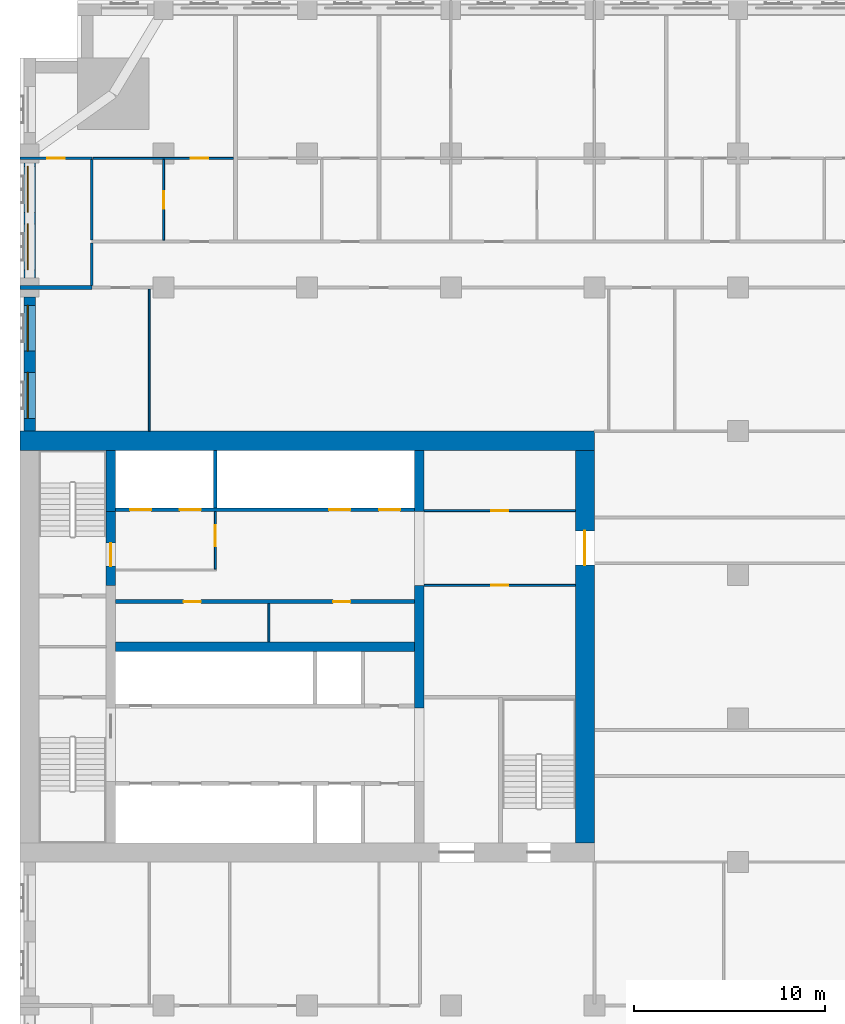
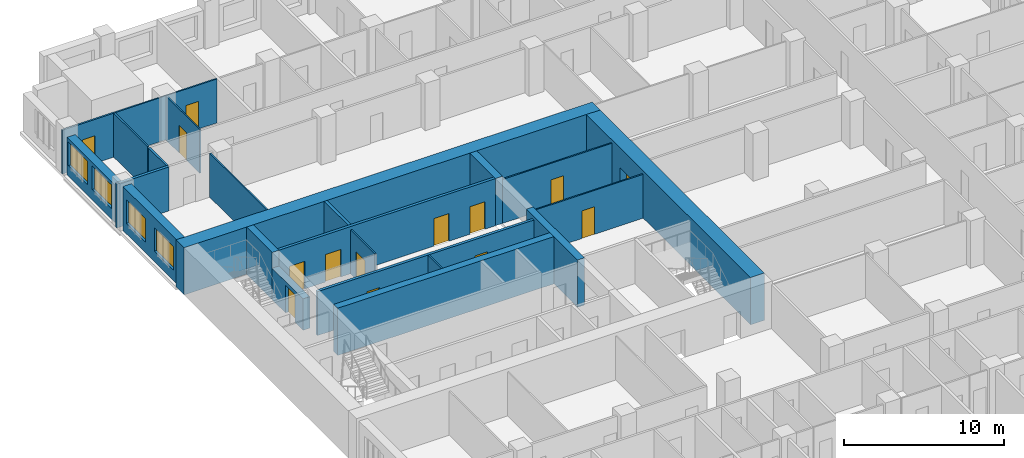
# One storey, part 8 of 14: 23 walls, 14 doors, 4 windows, 18 openings.
"""IFC4 building model written with IfcOpenShell, lengths in metres."""

from ifc_helpers import new_model, si_unit, direction, frame, frame_2d, origin, place, context, subcontext, project, spatial, rectangle, extrude, material, layer, layer_set, type_object, element, fill, save


model = new_model("IFC4")

# Units and contexts
model_context = context("Model", 3, precision=1e-05, world=origin(), true_north=direction((0.0, 1.0)))
body_context = subcontext(model_context, "Body", "Model", "MODEL_VIEW")
ifc_project = project(units=[si_unit("LENGTHUNIT", "METRE"), si_unit("AREAUNIT", "SQUARE_METRE"), si_unit("VOLUMEUNIT", "CUBIC_METRE"), si_unit("PLANEANGLEUNIT", "RADIAN"), si_unit("MASSUNIT", "GRAM", prefix="KILO")], contexts=[model_context])

# Site, building, storey
site_placement = place(None, origin())
site = spatial("IfcSite", under=ifc_project, at=site_placement, CompositionType="ELEMENT")
building_placement = place(site_placement, origin())
building = spatial("IfcBuilding", under=site, at=building_placement, Name="Tamorin Gate", CompositionType="ELEMENT")
storey_placement = place(building_placement, frame((0.0, 0.0, 89.89990234375)))
storey = spatial("IfcBuildingStorey", under=building, at=storey_placement, Name="L21", CompositionType="ELEMENT", Elevation=89.89990234375)

# Wall, openings, windows
ifc_material_1 = material(Name="Precast concrete C40/50", Category="concrete")
ifc_layer_1 = layer(ifc_material_1, 0.60009765625)
ifc_layer_set_1 = layer_set([ifc_layer_1], Name="Precast concrete C40/50")
wall_type_1 = type_object("IfcWallType", Name="Board-marked concrete facade panel 600", PredefinedType="SOLIDWALL", material=ifc_layer_set_1)
wall_1_placement = place(storey_placement, frame((30.5, 96.5, 0.0), z_axis=(0.0, 0.0, 1.0), x_axis=(0.0, -1.0, 0.0)))
wall_1 = element("IfcWall", 1, at=wall_1_placement, inside=storey, type_object=wall_type_1, Name="Facade panel", PredefinedType="SOLIDWALL", context=body_context, shape_type="SweptSolid", body=[
    extrude(rectangle(XDim=6.0, YDim=0.60009765625, at=frame_2d((3.0, 0.0))), origin(), (0.0, 0.0, 1.0), 2.85009765625),
])
opening_1_placement = place(wall_1_placement, frame((3.175048828125, 0.0, 0.800048828125)))
opening_1 = element("IfcOpeningElement", 2, at=opening_1_placement, cuts=wall_1, Name="Opening WN1", PredefinedType="OPENING", context=body_context, shape_type="SweptSolid", body=[
    extrude(rectangle(XDim=2.39990234375, YDim=1.800048828125, at=frame_2d((1.199951171875, 0.89990234375))), frame((0.0, 0.31005859375, 0.0), z_axis=(0.0, -1.0, 0.0), x_axis=(1.0, 0.0, 0.0)), (0.0, 0.0, 1.0), 0.6201171875),
])
opening_2_placement = place(wall_1_placement, frame((0.175048828125, 0.0, 0.800048828125)))
opening_2 = element("IfcOpeningElement", 3, at=opening_2_placement, cuts=wall_1, Name="Opening WN1", PredefinedType="OPENING", context=body_context, shape_type="SweptSolid", body=[
    extrude(rectangle(XDim=2.39990234375, YDim=1.800048828125, at=frame_2d((1.199951171875, 0.89990234375))), frame((0.0, 0.31005859375, 0.0), z_axis=(0.0, -1.0, 0.0), x_axis=(1.0, 0.0, 0.0)), (0.0, 0.0, 1.0), 0.6201171875),
])
ifc_material_2 = material(Name="Clear glass in aluminium frame", Category="aluminium")
window_type = type_object("IfcWindowType", Name="Deep-set window 2400x1800", PartitioningType="SINGLE_PANEL", PredefinedType="WINDOW", material=ifc_material_2)
window_1_placement = place(opening_1_placement, origin())
window_1 = element("IfcWindow", 4, at=window_1_placement, inside=storey, type_object=window_type, Name="Deep-set window", OverallHeight=1.800048828125, OverallWidth=2.39990234375, PartitioningType="SINGLE_PANEL", PredefinedType="WINDOW", context=body_context, shape_type="SweptSolid", body=[
    extrude(rectangle(XDim=2.39990234375, YDim=1.800048828125, at=frame_2d((1.199951171875, 0.89990234375))), frame((0.0, -0.070068359375, 0.0), z_axis=(0.0, -1.0, 0.0), x_axis=(1.0, 0.0, 0.0)), (0.0, 0.0, 1.0), 0.06005859375),
])
fill(opening_1, window_1)
window_2_placement = place(opening_2_placement, origin())
window_2 = element("IfcWindow", 5, at=window_2_placement, inside=storey, type_object=window_type, Name="Deep-set window", OverallHeight=1.800048828125, OverallWidth=2.39990234375, PartitioningType="SINGLE_PANEL", PredefinedType="WINDOW", context=body_context, shape_type="SweptSolid", body=[
    extrude(rectangle(XDim=2.39990234375, YDim=1.800048828125, at=frame_2d((1.199951171875, 0.89990234375))), frame((0.0, -0.070068359375, 0.0), z_axis=(0.0, -1.0, 0.0), x_axis=(1.0, 0.0, 0.0)), (0.0, 0.0, 1.0), 0.06005859375),
])
fill(opening_2, window_2)

wall_2_placement = place(storey_placement, frame((30.5, 89.5, 0.0), z_axis=(0.0, 0.0, 1.0), x_axis=(0.0, -1.0, 0.0)))
wall_2 = element("IfcWall", 6, at=wall_2_placement, inside=storey, type_object=wall_type_1, Name="Facade panel", PredefinedType="SOLIDWALL", context=body_context, shape_type="SweptSolid", body=[
    extrude(rectangle(XDim=7.0, YDim=0.60009765625, at=frame_2d((3.5, 0.0))), origin(), (0.0, 0.0, 1.0), 3.35009765625),
])
opening_3_placement = place(wall_2_placement, frame((3.925048828125, 0.0, 0.800048828125)))
opening_3 = element("IfcOpeningElement", 7, at=opening_3_placement, cuts=wall_2, Name="Opening WN1", PredefinedType="OPENING", context=body_context, shape_type="SweptSolid", body=[
    extrude(rectangle(XDim=2.39990234375, YDim=1.800048828125, at=frame_2d((1.199951171875, 0.89990234375))), frame((0.0, 0.31005859375, 0.0), z_axis=(0.0, -1.0, 0.0), x_axis=(1.0, 0.0, 0.0)), (0.0, 0.0, 1.0), 0.6201171875),
])
opening_4_placement = place(wall_2_placement, frame((0.425048828125, 0.0, 0.800048828125)))
opening_4 = element("IfcOpeningElement", 8, at=opening_4_placement, cuts=wall_2, Name="Opening WN1", PredefinedType="OPENING", context=body_context, shape_type="SweptSolid", body=[
    extrude(rectangle(XDim=2.39990234375, YDim=1.800048828125, at=frame_2d((1.199951171875, 0.89990234375))), frame((0.0, 0.31005859375, 0.0), z_axis=(0.0, -1.0, 0.0), x_axis=(1.0, 0.0, 0.0)), (0.0, 0.0, 1.0), 0.6201171875),
])
window_3_placement = place(opening_3_placement, origin())
window_3 = element("IfcWindow", 9, at=window_3_placement, inside=storey, type_object=window_type, Name="Deep-set window", OverallHeight=1.800048828125, OverallWidth=2.39990234375, PartitioningType="SINGLE_PANEL", PredefinedType="WINDOW", context=body_context, shape_type="SweptSolid", body=[
    extrude(rectangle(XDim=2.39990234375, YDim=1.800048828125, at=frame_2d((1.199951171875, 0.89990234375))), frame((0.0, -0.070068359375, 0.0), z_axis=(0.0, -1.0, 0.0), x_axis=(1.0, 0.0, 0.0)), (0.0, 0.0, 1.0), 0.06005859375),
])
fill(opening_3, window_3)
window_4_placement = place(opening_4_placement, origin())
window_4 = element("IfcWindow", 10, at=window_4_placement, inside=storey, type_object=window_type, Name="Deep-set window", OverallHeight=1.800048828125, OverallWidth=2.39990234375, PartitioningType="SINGLE_PANEL", PredefinedType="WINDOW", context=body_context, shape_type="SweptSolid", body=[
    extrude(rectangle(XDim=2.39990234375, YDim=1.800048828125, at=frame_2d((1.199951171875, 0.89990234375))), frame((0.0, -0.070068359375, 0.0), z_axis=(0.0, -1.0, 0.0), x_axis=(1.0, 0.0, 0.0)), (0.0, 0.0, 1.0), 0.06005859375),
])
fill(opening_4, window_4)

# Walls
ifc_material_3 = material(Name="Gypsum board partition")
ifc_layer_2 = layer(ifc_material_3, 0.14990234375)
ifc_layer_set_2 = layer_set([ifc_layer_2], Name="Corridor wall 150")
wall_type_2 = type_object("IfcWallType", Name="Corridor wall 150", PredefinedType="PARTITIONING", material=ifc_layer_set_2)
wall_3_placement = place(storey_placement, frame((33.75, 90.10009765625, 0.0), z_axis=(0.0, 0.0, 1.0), x_axis=(0.0, 1.0, 0.0)))
element("IfcWall", 11, at=wall_3_placement, inside=storey, type_object=wall_type_2, Name="Corridor wall 150", PredefinedType="PARTITIONING", context=body_context, shape_type="SweptSolid", body=[
    extrude(rectangle(XDim=2.224853515625, YDim=0.14990234375, at=frame_2d((1.1123046875, 0.0))), origin(), (0.0, 0.0, 1.0), 3.35009765625),
])
ifc_layer_3 = layer(ifc_material_3, 0.199951171875)
ifc_layer_set_3 = layer_set([ifc_layer_3], Name="Demising wall 200")
wall_type_3 = type_object("IfcWallType", Name="Demising wall 200", PredefinedType="PARTITIONING", material=ifc_layer_set_3)
wall_4_placement = place(storey_placement, frame((30.0, 90.0, 0.0), z_axis=(0.0, 0.0, 1.0), x_axis=(1.0, 0.0, 0.0)))
element("IfcWall", 12, at=wall_4_placement, inside=storey, type_object=wall_type_3, Name="Demising wall 200", PredefinedType="PARTITIONING", context=body_context, shape_type="SweptSolid", body=[
    extrude(rectangle(XDim=3.75, YDim=0.199951171875, at=frame_2d((1.875, 0.0))), origin(), (0.0, 0.0, 1.0), 3.35009765625),
])

# Wall, openings, doors
ifc_material_4 = material(Name="Concrete C32/40", Category="concrete")
ifc_layer_4 = layer(ifc_material_4, 0.199951171875)
ifc_layer_set_4 = layer_set([ifc_layer_4], Name="Lift lobby face wall 200 EI 120")
wall_type_4 = type_object("IfcWallType", Name="Lift lobby face wall 200 EI 120", PredefinedType="SOLIDWALL", material=ifc_layer_set_4)
wall_5_placement = place(storey_placement, frame((35.0, 78.39990234375, 0.0), z_axis=(0.0, 0.0, 1.0), x_axis=(1.0, 0.0, 0.0)))
wall_5 = element("IfcWall", 13, at=wall_5_placement, inside=storey, type_object=wall_type_4, Name="Lift lobby face wall", PredefinedType="SOLIDWALL", context=body_context, shape_type="SweptSolid", body=[
    extrude(rectangle(XDim=15.60009765625, YDim=0.199951171875, at=frame_2d((7.800048828125, 0.0))), origin(), (0.0, 0.0, 1.0), 3.60009765625),
])
opening_5_placement = place(wall_5_placement, frame((0.75, 0.0, 0.0)))
opening_5 = element("IfcOpeningElement", 14, at=opening_5_placement, cuts=wall_5, Name="Opening LD17", PredefinedType="OPENING", context=body_context, shape_type="SweptSolid", body=[
    extrude(rectangle(XDim=1.10009765625, YDim=2.10009765625, at=frame_2d((0.550048828125, 1.050048828125))), frame((0.0, 0.10986328125, 0.0), z_axis=(0.0, -1.0, 0.0), x_axis=(1.0, 0.0, 0.0)), (0.0, 0.0, 1.0), 0.219970703125),
])
opening_6_placement = place(wall_5_placement, frame((3.35009765625, 0.0, 0.0)))
opening_6 = element("IfcOpeningElement", 15, at=opening_6_placement, cuts=wall_5, Name="Opening LD18", PredefinedType="OPENING", context=body_context, shape_type="SweptSolid", body=[
    extrude(rectangle(XDim=1.10009765625, YDim=2.10009765625, at=frame_2d((0.550048828125, 1.050048828125))), frame((0.0, 0.10986328125, 0.0), z_axis=(0.0, -1.0, 0.0), x_axis=(1.0, 0.0, 0.0)), (0.0, 0.0, 1.0), 0.219970703125),
])
opening_7_placement = place(wall_5_placement, frame((11.14990234375, 0.0, 0.0)))
opening_7 = element("IfcOpeningElement", 16, at=opening_7_placement, cuts=wall_5, Name="Opening LD21", PredefinedType="OPENING", context=body_context, shape_type="SweptSolid", body=[
    extrude(rectangle(XDim=1.10009765625, YDim=2.10009765625, at=frame_2d((0.550048828125, 1.050048828125))), frame((0.0, 0.10986328125, 0.0), z_axis=(0.0, -1.0, 0.0), x_axis=(1.0, 0.0, 0.0)), (0.0, 0.0, 1.0), 0.219970703125),
])
opening_8_placement = place(wall_5_placement, frame((13.75, 0.0, 0.0)))
opening_8 = element("IfcOpeningElement", 17, at=opening_8_placement, cuts=wall_5, Name="Opening LD22", PredefinedType="OPENING", context=body_context, shape_type="SweptSolid", body=[
    extrude(rectangle(XDim=1.10009765625, YDim=2.10009765625, at=frame_2d((0.550048828125, 1.050048828125))), frame((0.0, 0.10986328125, 0.0), z_axis=(0.0, -1.0, 0.0), x_axis=(1.0, 0.0, 0.0)), (0.0, 0.0, 1.0), 0.219970703125),
])
ifc_material_5 = material(Name="Stainless steel sliding door", Category="steel")
door_type_1 = type_object("IfcDoorType", Name="Lift landing door 1100 x 2100 E 90", OperationType="DOUBLE_DOOR_SLIDING", PredefinedType="DOOR", material=ifc_material_5)
door_1_placement = place(opening_5_placement, origin())
door_1 = element("IfcDoor", 18, at=door_1_placement, inside=storey, type_object=door_type_1, Name="FF1 landing door", OperationType="DOUBLE_DOOR_SLIDING", OverallHeight=2.10009765625, OverallWidth=1.10009765625, PredefinedType="DOOR", context=body_context, shape_type="SweptSolid", body=[
    extrude(rectangle(XDim=1.10009765625, YDim=2.10009765625, at=frame_2d((0.550048828125, 1.050048828125))), frame((0.0, 0.02490234375, 0.0), z_axis=(0.0, -1.0, 0.0), x_axis=(1.0, 0.0, 0.0)), (0.0, 0.0, 1.0), 0.050048828125),
])
fill(opening_5, door_1)
door_2_placement = place(opening_6_placement, origin())
door_2 = element("IfcDoor", 19, at=door_2_placement, inside=storey, type_object=door_type_1, Name="FF2 landing door", OperationType="DOUBLE_DOOR_SLIDING", OverallHeight=2.10009765625, OverallWidth=1.10009765625, PredefinedType="DOOR", context=body_context, shape_type="SweptSolid", body=[
    extrude(rectangle(XDim=1.10009765625, YDim=2.10009765625, at=frame_2d((0.550048828125, 1.050048828125))), frame((0.0, 0.02490234375, 0.0), z_axis=(0.0, -1.0, 0.0), x_axis=(1.0, 0.0, 0.0)), (0.0, 0.0, 1.0), 0.050048828125),
])
fill(opening_6, door_2)
door_3_placement = place(opening_7_placement, origin())
door_3 = element("IfcDoor", 20, at=door_3_placement, inside=storey, type_object=door_type_1, Name="SV1 landing door", OperationType="DOUBLE_DOOR_SLIDING", OverallHeight=2.10009765625, OverallWidth=1.10009765625, PredefinedType="DOOR", context=body_context, shape_type="SweptSolid", body=[
    extrude(rectangle(XDim=1.10009765625, YDim=2.10009765625, at=frame_2d((0.550048828125, 1.050048828125))), frame((0.0, 0.02490234375, 0.0), z_axis=(0.0, -1.0, 0.0), x_axis=(1.0, 0.0, 0.0)), (0.0, 0.0, 1.0), 0.050048828125),
])
fill(opening_7, door_3)
door_4_placement = place(opening_8_placement, origin())
door_4 = element("IfcDoor", 21, at=door_4_placement, inside=storey, type_object=door_type_1, Name="SV2 landing door", OperationType="DOUBLE_DOOR_SLIDING", OverallHeight=2.10009765625, OverallWidth=1.10009765625, PredefinedType="DOOR", context=body_context, shape_type="SweptSolid", body=[
    extrude(rectangle(XDim=1.10009765625, YDim=2.10009765625, at=frame_2d((0.550048828125, 1.050048828125))), frame((0.0, 0.02490234375, 0.0), z_axis=(0.0, -1.0, 0.0), x_axis=(1.0, 0.0, 0.0)), (0.0, 0.0, 1.0), 0.050048828125),
])
fill(opening_8, door_4)

# Wall
ifc_layer_5 = layer(ifc_material_4, 0.199951171875)
ifc_layer_set_5 = layer_set([ifc_layer_5], Name="Lift shaft wall 200 EI 120")
wall_type_5 = type_object("IfcWallType", Name="Lift shaft wall 200 EI 120", PredefinedType="SOLIDWALL", material=ifc_layer_set_5)
wall_6_placement = place(storey_placement, frame((40.199951171875, 78.5, 0.0), z_axis=(0.0, 0.0, 1.0), x_axis=(0.0, 1.0, 0.0)))
element("IfcWall", 22, at=wall_6_placement, inside=storey, type_object=wall_type_5, Name="Lift shaft wall", PredefinedType="SOLIDWALL", context=body_context, shape_type="SweptSolid", body=[
    extrude(rectangle(XDim=3.0, YDim=0.199951171875, at=frame_2d((1.5, 0.0))), origin(), (0.0, 0.0, 1.0), 3.60009765625),
])

# Wall, opening, door
ifc_material_6 = material(Name="Fire-rated gypsum board partition")
ifc_layer_6 = layer(ifc_material_6, 0.10009765625)
ifc_layer_set_6 = layer_set([ifc_layer_6], Name="Lobby wall 100 EI 60")
wall_type_6 = type_object("IfcWallType", Name="Lobby wall 100 EI 60", PredefinedType="PARTITIONING", material=ifc_layer_set_6)
wall_7_placement = place(storey_placement, frame((40.199951171875, 75.300048828125, 0.0), z_axis=(0.0, 0.0, 1.0), x_axis=(0.0, 1.0, 0.0)))
wall_7 = element("IfcWall", 23, at=wall_7_placement, inside=storey, type_object=wall_type_6, Name="Firefighting lobby wall", PredefinedType="PARTITIONING", context=body_context, shape_type="SweptSolid", body=[
    extrude(rectangle(XDim=3.0, YDim=0.10009765625, at=frame_2d((1.5, 0.0))), origin(), (0.0, 0.0, 1.0), 3.35009765625),
])
opening_9_placement = place(wall_7_placement, frame((1.199951171875, 0.0, 0.0)))
opening_9 = element("IfcOpeningElement", 24, at=opening_9_placement, cuts=wall_7, Name="Opening DF1", PredefinedType="OPENING", context=body_context, shape_type="SweptSolid", body=[
    extrude(rectangle(XDim=1.10009765625, YDim=2.10009765625, at=frame_2d((0.550048828125, 1.050048828125))), frame((0.0, 0.06005859375, 0.0), z_axis=(0.0, -1.0, 0.0), x_axis=(1.0, 0.0, 0.0)), (0.0, 0.0, 1.0), 0.1201171875),
])
ifc_material_7 = material(Name="Steel fire door", Category="steel")
door_type_2 = type_object("IfcDoorType", Name="Firefighting lobby door 1100 x 2100 EI 90", OperationType="SINGLE_SWING_LEFT", PredefinedType="DOOR", material=ifc_material_7)
door_5_placement = place(opening_9_placement, origin())
door_5 = element("IfcDoor", 25, at=door_5_placement, inside=storey, type_object=door_type_2, Name="Firefighting lobby door", OperationType="SINGLE_SWING_LEFT", OverallHeight=2.10009765625, OverallWidth=1.10009765625, PredefinedType="DOOR", context=body_context, shape_type="SweptSolid", body=[
    extrude(rectangle(XDim=1.10009765625, YDim=2.10009765625, at=frame_2d((0.550048828125, 1.050048828125))), frame((0.0, 0.02490234375, 0.0), z_axis=(0.0, -1.0, 0.0), x_axis=(1.0, 0.0, 0.0)), (0.0, 0.0, 1.0), 0.050048828125),
])
fill(opening_9, door_5)

# Walls
ifc_material_8 = material(Name="Concrete C80/95", Category="concrete")
ifc_layer_7 = layer(ifc_material_8, 0.5)
ifc_layer_set_7 = layer_set([ifc_layer_7], Name="RC core internal wall 500 C80/95")
wall_type_7 = type_object("IfcWallType", Name="RC core internal wall 500 C80/95", PredefinedType="SHEAR", material=ifc_layer_set_7)
wall_8_placement = place(storey_placement, frame((35.0, 71.25, 0.0), z_axis=(0.0, 0.0, 1.0), x_axis=(1.0, 0.0, 0.0)))
element("IfcWall", 26, at=wall_8_placement, inside=storey, type_object=wall_type_7, Name="Core spine wall L21", PredefinedType="SHEAR", context=body_context, shape_type="SweptSolid", body=[
    extrude(rectangle(XDim=15.60009765625, YDim=0.5, at=frame_2d((7.800048828125, 0.0))), origin(), (0.0, 0.0, 1.0), 3.60009765625),
])
wall_9_placement = place(storey_placement, frame((34.75, 78.300048828125, 0.0), z_axis=(0.0, 0.0, 1.0), x_axis=(0.0, 1.0, 0.0)))
element("IfcWall", 27, at=wall_9_placement, inside=storey, type_object=wall_type_7, Name="Core cross wall L21", PredefinedType="SHEAR", context=body_context, shape_type="SweptSolid", body=[
    extrude(rectangle(XDim=3.199951171875, YDim=0.5, at=frame_2d((1.60009765625, 0.0))), origin(), (0.0, 0.0, 1.0), 3.60009765625),
])
wall_10_placement = place(storey_placement, frame((50.85009765625, 68.050048828125, 0.0), z_axis=(0.0, 0.0, 1.0), x_axis=(0.0, 1.0, 0.0)))
element("IfcWall", 28, at=wall_10_placement, inside=storey, type_object=wall_type_7, Name="Core cross wall L21", PredefinedType="SHEAR", context=body_context, shape_type="SweptSolid", body=[
    extrude(rectangle(XDim=6.39990234375, YDim=0.5, at=frame_2d((3.199951171875, 0.0))), origin(), (0.0, 0.0, 1.0), 3.60009765625),
])
wall_11_placement = place(storey_placement, frame((50.85009765625, 78.300048828125, 0.0), z_axis=(0.0, 0.0, 1.0), x_axis=(0.0, 1.0, 0.0)))
element("IfcWall", 29, at=wall_11_placement, inside=storey, type_object=wall_type_7, Name="Core cross wall L21", PredefinedType="SHEAR", context=body_context, shape_type="SweptSolid", body=[
    extrude(rectangle(XDim=3.199951171875, YDim=0.5, at=frame_2d((1.60009765625, 0.0))), origin(), (0.0, 0.0, 1.0), 3.60009765625),
])
ifc_layer_8 = layer(ifc_material_8, 1.0)
ifc_layer_set_8 = layer_set([ifc_layer_8], Name="RC core wall 1000 C80/95")
wall_type_8 = type_object("IfcWallType", Name="RC core wall 1000 C80/95", PredefinedType="SHEAR", material=ifc_layer_set_8)
wall_12_placement = place(storey_placement, frame((30.0, 82.0, 0.0), z_axis=(0.0, 0.0, 1.0), x_axis=(1.0, 0.0, 0.0)))
element("IfcWall", 30, at=wall_12_placement, inside=storey, type_object=wall_type_8, Name="Core wall L21", PredefinedType="SHEAR", context=body_context, shape_type="SweptSolid", body=[
    extrude(rectangle(XDim=30.0, YDim=1.0, at=frame_2d((15.0, 0.0))), origin(), (0.0, 0.0, 1.0), 3.60009765625),
])

# Wall, opening, door
wall_13_placement = place(storey_placement, frame((59.5, 61.0, 0.0), z_axis=(0.0, 0.0, 1.0), x_axis=(0.0, 1.0, 0.0)))
wall_13 = element("IfcWall", 31, at=wall_13_placement, inside=storey, type_object=wall_type_8, Name="Core wall L21", PredefinedType="SHEAR", context=body_context, shape_type="SweptSolid", body=[
    extrude(rectangle(XDim=20.5, YDim=1.0, at=frame_2d((10.25, 0.0))), origin(), (0.0, 0.0, 1.0), 3.60009765625),
])
opening_10_placement = place(wall_13_placement, frame((14.5, 0.0, 0.0)))
opening_10 = element("IfcOpeningElement", 32, at=opening_10_placement, cuts=wall_13, Name="Opening DE1", PredefinedType="OPENING", context=body_context, shape_type="SweptSolid", body=[
    extrude(rectangle(XDim=1.800048828125, YDim=2.10009765625, at=frame_2d((0.89990234375, 1.050048828125))), frame((0.0, 0.510009765625, 0.0), z_axis=(0.0, -1.0, 0.0), x_axis=(1.0, 0.0, 0.0)), (0.0, 0.0, 1.0), 1.02001953125),
])
door_type_3 = type_object("IfcDoorType", Name="Lobby exit double door 1800 x 2100 EI 60", OperationType="DOUBLE_DOOR_SINGLE_SWING", PredefinedType="DOOR", material=ifc_material_7)
door_6_placement = place(opening_10_placement, origin())
door_6 = element("IfcDoor", 33, at=door_6_placement, inside=storey, type_object=door_type_3, Name="Lift lobby B exit door", OperationType="DOUBLE_DOOR_SINGLE_SWING", OverallHeight=2.10009765625, OverallWidth=1.800048828125, PredefinedType="DOOR", context=body_context, shape_type="SweptSolid", body=[
    extrude(rectangle(XDim=1.800048828125, YDim=2.10009765625, at=frame_2d((0.89990234375, 1.050048828125))), frame((0.0, 0.02490234375, 0.0), z_axis=(0.0, -1.0, 0.0), x_axis=(1.0, 0.0, 0.0)), (0.0, 0.0, 1.0), 0.050048828125),
])
fill(opening_10, door_6)

ifc_layer_9 = layer(ifc_material_3, 0.10009765625)
ifc_layer_set_9 = layer_set([ifc_layer_9], Name="Room partition 100")
wall_type_9 = type_object("IfcWallType", Name="Room partition 100", PredefinedType="PARTITIONING", material=ifc_layer_set_9)
wall_14_placement = place(storey_placement, frame((33.8125, 96.75, 0.0), z_axis=(0.0, 0.0, 1.0), x_axis=(1.0, 0.0, 0.0)))
wall_14 = element("IfcWall", 34, at=wall_14_placement, inside=storey, type_object=wall_type_9, Name="Room partition 100", PredefinedType="PARTITIONING", context=body_context, shape_type="SweptSolid", body=[
    extrude(rectangle(XDim=7.33740234375, YDim=0.10009765625, at=frame_2d((3.668701171875, 0.0))), origin(), (0.0, 0.0, 1.0), 3.35009765625),
])
opening_11_placement = place(wall_14_placement, frame((5.112548828125, 0.0, 0.0)))
opening_11 = element("IfcOpeningElement", 35, at=opening_11_placement, cuts=wall_14, Name="Opening DH8026", PredefinedType="OPENING", context=body_context, shape_type="SweptSolid", body=[
    extrude(rectangle(XDim=0.89990234375, YDim=2.10009765625, at=frame_2d((0.449951171875, 1.050048828125))), frame((0.0, 0.06005859375, 0.0), z_axis=(0.0, -1.0, 0.0), x_axis=(1.0, 0.0, 0.0)), (0.0, 0.0, 1.0), 0.1201171875),
])
ifc_material_9 = material(Name="Timber door leaf", Category="wood")
door_type_4 = type_object("IfcDoorType", Name="Door 900 x 2100", OperationType="NOTDEFINED", PredefinedType="DOOR", material=ifc_material_9)
door_7_placement = place(opening_11_placement, origin())
door_7 = element("IfcDoor", 36, at=door_7_placement, inside=storey, type_object=door_type_4, Name="Door DH8026", OperationType="SINGLE_SWING_RIGHT", OverallHeight=2.10009765625, OverallWidth=0.89990234375, PredefinedType="DOOR", context=body_context, shape_type="SweptSolid", body=[
    extrude(rectangle(XDim=0.89990234375, YDim=2.10009765625, at=frame_2d((0.449951171875, 1.050048828125))), frame((0.0, 0.02490234375, 0.0), z_axis=(0.0, -1.0, 0.0), x_axis=(1.0, 0.0, 0.0)), (0.0, 0.0, 1.0), 0.050048828125),
])
fill(opening_11, door_7)

# Wall
wall_15_placement = place(storey_placement, frame((36.75, 82.5, 0.0), z_axis=(0.0, 0.0, 1.0), x_axis=(0.0, 1.0, 0.0)))
element("IfcWall", 37, at=wall_15_placement, inside=storey, type_object=wall_type_9, Name="Room partition 100", PredefinedType="PARTITIONING", context=body_context, shape_type="SweptSolid", body=[
    extrude(rectangle(XDim=7.425048828125, YDim=0.10009765625, at=frame_2d((3.71240234375, 0.0))), origin(), (0.0, 0.0, 1.0), 3.35009765625),
])

# Wall, opening, door
wall_16_placement = place(storey_placement, frame((37.5, 92.47509765625, 0.0), z_axis=(0.0, 0.0, 1.0), x_axis=(0.0, 1.0, 0.0)))
wall_16 = element("IfcWall", 38, at=wall_16_placement, inside=storey, type_object=wall_type_9, Name="Room partition 100", PredefinedType="PARTITIONING", context=body_context, shape_type="SweptSolid", body=[
    extrude(rectangle(XDim=4.224853515625, YDim=0.10009765625, at=frame_2d((2.1123046875, 0.0))), origin(), (0.0, 0.0, 1.0), 3.35009765625),
])
opening_12_placement = place(wall_16_placement, frame((1.64990234375, 0.0, 0.0)))
opening_12 = element("IfcOpeningElement", 39, at=opening_12_placement, cuts=wall_16, Name="Opening DH8024", PredefinedType="OPENING", context=body_context, shape_type="SweptSolid", body=[
    extrude(rectangle(XDim=0.89990234375, YDim=2.10009765625, at=frame_2d((0.449951171875, 1.050048828125))), frame((0.0, 0.06005859375, 0.0), z_axis=(0.0, -1.0, 0.0), x_axis=(1.0, 0.0, 0.0)), (0.0, 0.0, 1.0), 0.1201171875),
])
door_8_placement = place(opening_12_placement, origin())
door_8 = element("IfcDoor", 40, at=door_8_placement, inside=storey, type_object=door_type_4, Name="Door DH8024", OperationType="SINGLE_SWING_RIGHT", OverallHeight=2.10009765625, OverallWidth=0.89990234375, PredefinedType="DOOR", context=body_context, shape_type="SweptSolid", body=[
    extrude(rectangle(XDim=0.89990234375, YDim=2.10009765625, at=frame_2d((0.449951171875, 1.050048828125))), frame((0.0, 0.02490234375, 0.0), z_axis=(0.0, -1.0, 0.0), x_axis=(1.0, 0.0, 0.0)), (0.0, 0.0, 1.0), 0.050048828125),
])
fill(opening_12, door_8)

# Wall, openings, doors
ifc_layer_10 = layer(ifc_material_3, 0.199951171875)
ifc_layer_set_10 = layer_set([ifc_layer_10], Name="Service room face wall 200 EI 60")
wall_type_10 = type_object("IfcWallType", Name="Service room face wall 200 EI 60", PredefinedType="PARTITIONING", material=ifc_layer_set_10)
wall_17_placement = place(storey_placement, frame((35.0, 73.60009765625, 0.0), z_axis=(0.0, 0.0, 1.0), x_axis=(1.0, 0.0, 0.0)))
wall_17 = element("IfcWall", 41, at=wall_17_placement, inside=storey, type_object=wall_type_10, Name="Service room face wall", PredefinedType="PARTITIONING", context=body_context, shape_type="SweptSolid", body=[
    extrude(rectangle(XDim=15.60009765625, YDim=0.199951171875, at=frame_2d((7.800048828125, 0.0))), origin(), (0.0, 0.0, 1.0), 3.35009765625),
])
opening_13_placement = place(wall_17_placement, frame((3.550048828125, 0.0, 0.0)))
opening_13 = element("IfcOpeningElement", 42, at=opening_13_placement, cuts=wall_17, Name="Opening DK1", PredefinedType="OPENING", context=body_context, shape_type="SweptSolid", body=[
    extrude(rectangle(XDim=0.89990234375, YDim=2.10009765625, at=frame_2d((0.449951171875, 1.050048828125))), frame((0.0, 0.10986328125, 0.0), z_axis=(0.0, -1.0, 0.0), x_axis=(1.0, 0.0, 0.0)), (0.0, 0.0, 1.0), 0.219970703125),
])
opening_14_placement = place(wall_17_placement, frame((11.35009765625, 0.0, 0.0)))
opening_14 = element("IfcOpeningElement", 43, at=opening_14_placement, cuts=wall_17, Name="Opening DK1", PredefinedType="OPENING", context=body_context, shape_type="SweptSolid", body=[
    extrude(rectangle(XDim=0.89990234375, YDim=2.10009765625, at=frame_2d((0.449951171875, 1.050048828125))), frame((0.0, 0.10986328125, 0.0), z_axis=(0.0, -1.0, 0.0), x_axis=(1.0, 0.0, 0.0)), (0.0, 0.0, 1.0), 0.219970703125),
])
ifc_material_10 = material(Name="Timber fire door", Category="wood")
door_type_5 = type_object("IfcDoorType", Name="Service room door 900 x 2100 EI 60", OperationType="SINGLE_SWING_LEFT", PredefinedType="DOOR", material=ifc_material_10)
door_9_placement = place(opening_13_placement, origin())
door_9 = element("IfcDoor", 44, at=door_9_placement, inside=storey, type_object=door_type_5, Name="Door Linen store", OperationType="SINGLE_SWING_LEFT", OverallHeight=2.10009765625, OverallWidth=0.89990234375, PredefinedType="DOOR", context=body_context, shape_type="SweptSolid", body=[
    extrude(rectangle(XDim=0.89990234375, YDim=2.10009765625, at=frame_2d((0.449951171875, 1.050048828125))), frame((0.0, 0.02490234375, 0.0), z_axis=(0.0, -1.0, 0.0), x_axis=(1.0, 0.0, 0.0)), (0.0, 0.0, 1.0), 0.050048828125),
])
fill(opening_13, door_9)
door_10_placement = place(opening_14_placement, origin())
door_10 = element("IfcDoor", 45, at=door_10_placement, inside=storey, type_object=door_type_5, Name="Door Cleaner's store", OperationType="SINGLE_SWING_RIGHT", OverallHeight=2.10009765625, OverallWidth=0.89990234375, PredefinedType="DOOR", context=body_context, shape_type="SweptSolid", body=[
    extrude(rectangle(XDim=0.89990234375, YDim=2.10009765625, at=frame_2d((0.449951171875, 1.050048828125))), frame((0.0, 0.02490234375, 0.0), z_axis=(0.0, -1.0, 0.0), x_axis=(1.0, 0.0, 0.0)), (0.0, 0.0, 1.0), 0.050048828125),
])
fill(opening_14, door_10)

# Wall
ifc_layer_11 = layer(ifc_material_3, 0.10009765625)
ifc_layer_set_11 = layer_set([ifc_layer_11], Name="Service room partition 100 EI 60")
wall_type_11 = type_object("IfcWallType", Name="Service room partition 100 EI 60", PredefinedType="PARTITIONING", material=ifc_layer_set_11)
wall_18_placement = place(storey_placement, frame((43.0, 71.5, 0.0), z_axis=(0.0, 0.0, 1.0), x_axis=(0.0, 1.0, 0.0)))
element("IfcWall", 46, at=wall_18_placement, inside=storey, type_object=wall_type_11, Name="Service room partition", PredefinedType="PARTITIONING", context=body_context, shape_type="SweptSolid", body=[
    extrude(rectangle(XDim=2.0, YDim=0.10009765625, at=frame_2d((1.0, 0.0))), origin(), (0.0, 0.0, 1.0), 3.35009765625),
])

# Wall, opening, door
wall_19_placement = place(storey_placement, frame((51.10009765625, 74.449951171875, 0.0), z_axis=(0.0, 0.0, 1.0), x_axis=(1.0, 0.0, 0.0)))
wall_19 = element("IfcWall", 47, at=wall_19_placement, inside=storey, type_object=wall_type_11, Name="Service room wall", PredefinedType="PARTITIONING", context=body_context, shape_type="SweptSolid", body=[
    extrude(rectangle(XDim=7.89990234375, YDim=0.10009765625, at=frame_2d((3.949951171875, 0.0))), origin(), (0.0, 0.0, 1.0), 3.35009765625),
])
opening_15_placement = place(wall_19_placement, frame((3.5, 0.0, 0.0)))
opening_15 = element("IfcOpeningElement", 48, at=opening_15_placement, cuts=wall_19, Name="Opening DR1", PredefinedType="OPENING", context=body_context, shape_type="SweptSolid", body=[
    extrude(rectangle(XDim=0.89990234375, YDim=2.10009765625, at=frame_2d((0.449951171875, 1.050048828125))), frame((0.0, 0.06005859375, 0.0), z_axis=(0.0, -1.0, 0.0), x_axis=(1.0, 0.0, 0.0)), (0.0, 0.0, 1.0), 0.1201171875),
])
door_type_6 = type_object("IfcDoorType", Name="Riser access door 900 x 2100 EI 120", OperationType="SINGLE_SWING_LEFT", PredefinedType="DOOR", material=ifc_material_7)
door_11_placement = place(opening_15_placement, origin())
door_11 = element("IfcDoor", 49, at=door_11_placement, inside=storey, type_object=door_type_6, Name="Duct riser door", OperationType="SINGLE_SWING_LEFT", OverallHeight=2.10009765625, OverallWidth=0.89990234375, PredefinedType="DOOR", context=body_context, shape_type="SweptSolid", body=[
    extrude(rectangle(XDim=0.89990234375, YDim=2.10009765625, at=frame_2d((0.449951171875, 1.050048828125))), frame((0.0, 0.02490234375, 0.0), z_axis=(0.0, -1.0, 0.0), x_axis=(1.0, 0.0, 0.0)), (0.0, 0.0, 1.0), 0.050048828125),
])
fill(opening_15, door_11)

wall_20_placement = place(storey_placement, frame((51.10009765625, 78.35009765625, 0.0), z_axis=(0.0, 0.0, 1.0), x_axis=(1.0, 0.0, 0.0)))
wall_20 = element("IfcWall", 50, at=wall_20_placement, inside=storey, type_object=wall_type_11, Name="Service room wall", PredefinedType="PARTITIONING", context=body_context, shape_type="SweptSolid", body=[
    extrude(rectangle(XDim=7.89990234375, YDim=0.10009765625, at=frame_2d((3.949951171875, 0.0))), origin(), (0.0, 0.0, 1.0), 3.35009765625),
])
opening_16_placement = place(wall_20_placement, frame((3.5, 0.0, 0.0)))
opening_16 = element("IfcOpeningElement", 51, at=opening_16_placement, cuts=wall_20, Name="Opening DK1", PredefinedType="OPENING", context=body_context, shape_type="SweptSolid", body=[
    extrude(rectangle(XDim=0.89990234375, YDim=2.10009765625, at=frame_2d((0.449951171875, 1.050048828125))), frame((0.0, 0.06005859375, 0.0), z_axis=(0.0, -1.0, 0.0), x_axis=(1.0, 0.0, 0.0)), (0.0, 0.0, 1.0), 0.1201171875),
])
door_12_placement = place(opening_16_placement, origin())
door_12 = element("IfcDoor", 52, at=door_12_placement, inside=storey, type_object=door_type_5, Name="Door Linen store", OperationType="SINGLE_SWING_LEFT", OverallHeight=2.10009765625, OverallWidth=0.89990234375, PredefinedType="DOOR", context=body_context, shape_type="SweptSolid", body=[
    extrude(rectangle(XDim=0.89990234375, YDim=2.10009765625, at=frame_2d((0.449951171875, 1.050048828125))), frame((0.0, 0.02490234375, 0.0), z_axis=(0.0, -1.0, 0.0), x_axis=(1.0, 0.0, 0.0)), (0.0, 0.0, 1.0), 0.050048828125),
])
fill(opening_16, door_12)

ifc_layer_12 = layer(ifc_material_4, 0.5)
ifc_layer_set_12 = layer_set([ifc_layer_12], Name="Stair lobby infill wall 500 EI 120")
wall_type_12 = type_object("IfcWallType", Name="Stair lobby infill wall 500 EI 120", PredefinedType="SOLIDWALL", material=ifc_layer_set_12)
wall_21_placement = place(storey_placement, frame((34.75, 74.449951171875, 0.0), z_axis=(0.0, 0.0, 1.0), x_axis=(0.0, 1.0, 0.0)))
wall_21 = element("IfcWall", 53, at=wall_21_placement, inside=storey, type_object=wall_type_12, Name="Stair lobby infill wall", PredefinedType="SOLIDWALL", context=body_context, shape_type="SweptSolid", body=[
    extrude(rectangle(XDim=3.85009765625, YDim=0.5, at=frame_2d((1.925048828125, 0.0))), origin(), (0.0, 0.0, 1.0), 2.400146484375),
])
opening_17_placement = place(wall_21_placement, frame((1.0, 0.0, 0.0)))
opening_17 = element("IfcOpeningElement", 54, at=opening_17_placement, cuts=wall_21, Name="Opening DS1", PredefinedType="OPENING", context=body_context, shape_type="SweptSolid", body=[
    extrude(rectangle(XDim=1.199951171875, YDim=2.10009765625, at=frame_2d((0.60009765625, 1.050048828125))), frame((0.0, 0.260009765625, 0.0), z_axis=(0.0, -1.0, 0.0), x_axis=(1.0, 0.0, 0.0)), (0.0, 0.0, 1.0), 0.52001953125),
])
door_type_7 = type_object("IfcDoorType", Name="Stair door 1200 x 2100 EI 90", OperationType="SINGLE_SWING_LEFT", PredefinedType="DOOR", material=ifc_material_7)
door_13_placement = place(opening_17_placement, origin())
door_13 = element("IfcDoor", 55, at=door_13_placement, inside=storey, type_object=door_type_7, Name="ST2 door", OperationType="SINGLE_SWING_RIGHT", OverallHeight=2.10009765625, OverallWidth=1.199951171875, PredefinedType="DOOR", context=body_context, shape_type="SweptSolid", body=[
    extrude(rectangle(XDim=1.199951171875, YDim=2.10009765625, at=frame_2d((0.60009765625, 1.050048828125))), frame((0.0, 0.02490234375, 0.0), z_axis=(0.0, -1.0, 0.0), x_axis=(1.0, 0.0, 0.0)), (0.0, 0.0, 1.0), 0.050048828125),
])
fill(opening_17, door_13)

ifc_layer_13 = layer(ifc_material_3, 0.125)
ifc_layer_set_13 = layer_set([ifc_layer_13], Name="Wet wall 125")
wall_type_13 = type_object("IfcWallType", Name="Wet wall 125", PredefinedType="PARTITIONING", material=ifc_layer_set_13)
wall_22_placement = place(storey_placement, frame((30.0, 96.75, 0.0), z_axis=(0.0, 0.0, 1.0), x_axis=(1.0, 0.0, 0.0)))
wall_22 = element("IfcWall", 56, at=wall_22_placement, inside=storey, type_object=wall_type_13, Name="Wet wall 125", PredefinedType="PARTITIONING", context=body_context, shape_type="SweptSolid", body=[
    extrude(rectangle(XDim=3.75, YDim=0.125, at=frame_2d((1.875, 0.0))), origin(), (0.0, 0.0, 1.0), 3.35009765625),
])
opening_18_placement = place(wall_22_placement, frame((1.425048828125, 0.0, 0.0)))
opening_18 = element("IfcOpeningElement", 57, at=opening_18_placement, cuts=wall_22, Name="Opening DH8023", PredefinedType="OPENING", context=body_context, shape_type="SweptSolid", body=[
    extrude(rectangle(XDim=0.89990234375, YDim=2.10009765625, at=frame_2d((0.449951171875, 1.050048828125))), frame((0.0, 0.072509765625, 0.0), z_axis=(0.0, -1.0, 0.0), x_axis=(1.0, 0.0, 0.0)), (0.0, 0.0, 1.0), 0.14501953125),
])
door_14_placement = place(opening_18_placement, origin())
door_14 = element("IfcDoor", 58, at=door_14_placement, inside=storey, type_object=door_type_4, Name="Door DH8023", OperationType="SINGLE_SWING_RIGHT", OverallHeight=2.10009765625, OverallWidth=0.89990234375, PredefinedType="DOOR", context=body_context, shape_type="SweptSolid", body=[
    extrude(rectangle(XDim=0.89990234375, YDim=2.10009765625, at=frame_2d((0.449951171875, 1.050048828125))), frame((0.0, 0.02490234375, 0.0), z_axis=(0.0, -1.0, 0.0), x_axis=(1.0, 0.0, 0.0)), (0.0, 0.0, 1.0), 0.050048828125),
])
fill(opening_18, door_14)

# Wall
wall_23_placement = place(storey_placement, frame((33.75, 92.47509765625, 0.0), z_axis=(0.0, 0.0, 1.0), x_axis=(0.0, 1.0, 0.0)))
element("IfcWall", 59, at=wall_23_placement, inside=storey, type_object=wall_type_13, Name="Wet wall 125", PredefinedType="PARTITIONING", context=body_context, shape_type="SweptSolid", body=[
    extrude(rectangle(XDim=4.21240234375, YDim=0.125, at=frame_2d((2.106201171875, 0.0))), origin(), (0.0, 0.0, 1.0), 3.35009765625),
])

save(model, "model.ifc")
